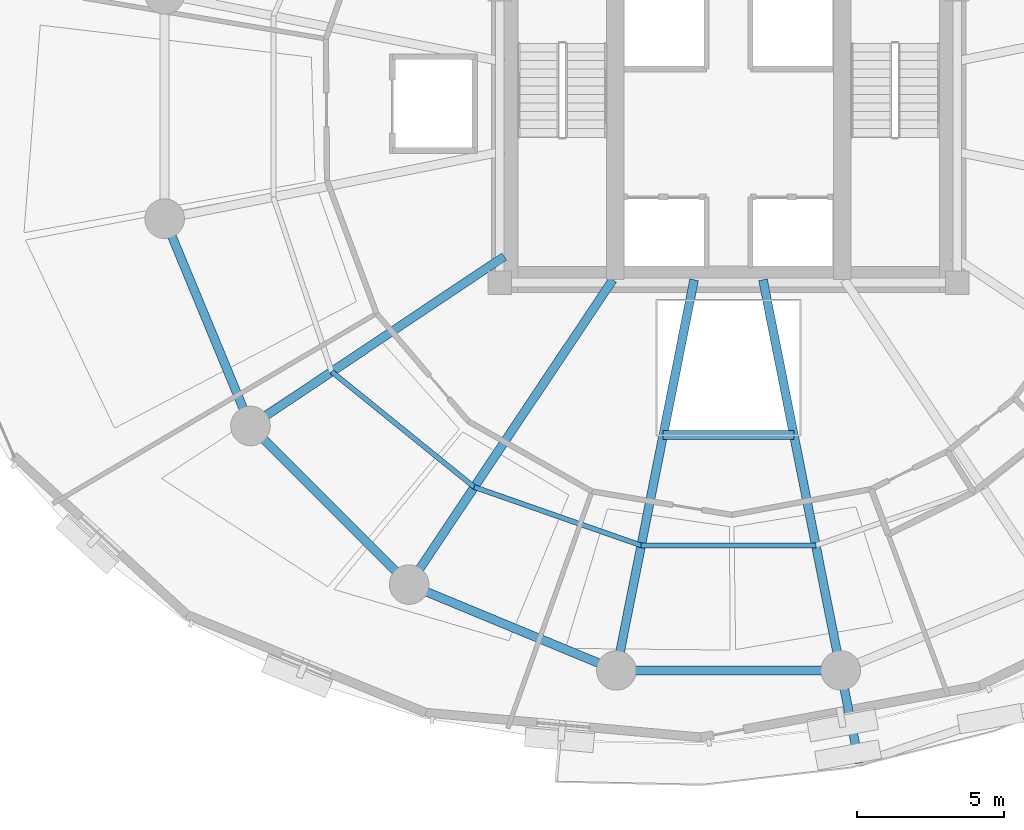
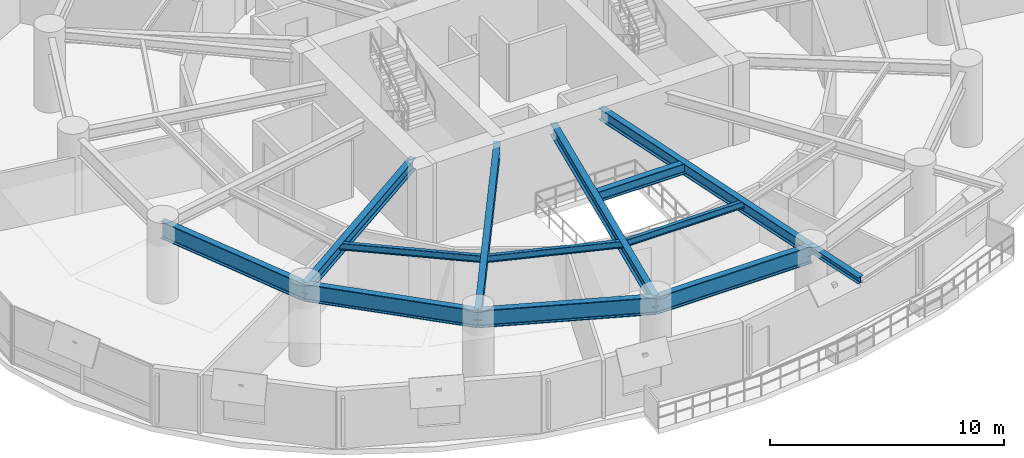
# One storey, part 3 of 17: 13 beams.
"""IFC4 building model written with IfcOpenShell, lengths in metres."""

from ifc_helpers import new_model, si_unit, direction, frame, origin, origin_2d, place, context, subcontext, project, spatial, i_section, extrude, material, material_profile, profile_set, type_object, element, save


model = new_model("IFC4")

# Units and contexts
model_context = context("Model", 3, precision=1e-05, world=origin(), true_north=direction((0.0, 1.0)))
body_context = subcontext(model_context, "Body", "Model", "MODEL_VIEW")
ifc_project = project(units=[si_unit("LENGTHUNIT", "METRE"), si_unit("AREAUNIT", "SQUARE_METRE"), si_unit("VOLUMEUNIT", "CUBIC_METRE"), si_unit("PLANEANGLEUNIT", "RADIAN"), si_unit("MASSUNIT", "GRAM", prefix="KILO"), si_unit("THERMODYNAMICTEMPERATUREUNIT", "KELVIN"), si_unit("POWERUNIT", "WATT")], contexts=[model_context])

# Site, building, storey
site_placement = place(None, origin())
site = spatial("IfcSite", under=ifc_project, at=site_placement, CompositionType="ELEMENT")
building_placement = place(site_placement, origin())
building = spatial("IfcBuilding", under=site, at=building_placement, Name="Ocrelia Relay Tower", CompositionType="ELEMENT")
storey_placement = place(building_placement, frame((0.0, 0.0, 76.199951171875)))
storey = spatial("IfcBuildingStorey", under=building, at=storey_placement, Name="L17", CompositionType="ELEMENT", Elevation=76.199951171875)

# Beams
ifc_material = material(Name="Steel S355", Category="steel")
ifc_material_profile_1 = material_profile(ifc_material, i_section(OverallWidth=0.300048828125, OverallDepth=0.330078125, WebThickness=0.009521484375, FlangeThickness=0.0166015625, FilletRadius=0.027099609375, at=origin_2d()), Name="HEA 340")
ifc_profile_set_1 = profile_set([ifc_material_profile_1], Name="Steel S355")
beam_type_1 = type_object("IfcBeamType", Name="BM-HEA340", PredefinedType="BEAM", material=ifc_profile_set_1)
beam_1_placement = place(storey_placement, frame((37.82373046875, 6.776611328125, 3.755126953125), z_axis=(0.195138855829, -0.980775625179, 0.0), x_axis=(0.980775625179, 0.195138855829, 0.0)))
element("IfcBeam", 1, at=beam_1_placement, inside=storey, type_object=beam_type_1, Name="L18 Balcony Cantilever Beam B2-1", PredefinedType="BEAM", context=body_context, shape_type="SweptSolid", body=[
    extrude(i_section(OverallWidth=0.300048828125, OverallDepth=0.330078125, WebThickness=0.009521484375, FlangeThickness=0.0166015625, FilletRadius=0.027099609375, at=origin_2d()), origin(), (0.0, 0.0, 1.0), 3.218994140625),
])
ifc_material_profile_2 = material_profile(ifc_material, i_section(OverallWidth=0.300048828125, OverallDepth=0.550048828125, WebThickness=0.014892578125, FlangeThickness=0.029052734375, FilletRadius=0.027099609375, at=origin_2d()), Name="HEB 550")
ifc_profile_set_2 = profile_set([ifc_material_profile_2], Name="Steel S355")
beam_type_2 = type_object("IfcBeamType", Name="BM-HEB550", PredefinedType="BEAM", material=ifc_profile_set_2)
beam_2_placement = place(storey_placement, frame((31.772216796875, 14.800048828125, 3.64501953125), z_axis=(1.0, 0.0, 0.0), x_axis=(0.0, 1.0, 0.0)))
element("IfcBeam", 2, at=beam_2_placement, inside=storey, type_object=beam_type_2, Name="L17 Atrium South Trimmer Beam", PredefinedType="BEAM", context=body_context, shape_type="SweptSolid", body=[
    extrude(i_section(OverallWidth=0.300048828125, OverallDepth=0.550048828125, WebThickness=0.014892578125, FlangeThickness=0.029052734375, FilletRadius=0.027099609375, at=origin_2d()), origin(), (0.0, 0.0, 1.0), 4.45556640625),
])
ifc_material_profile_3 = material_profile(ifc_material, i_section(OverallWidth=0.300048828125, OverallDepth=0.60009765625, WebThickness=0.015380859375, FlangeThickness=0.030029296875, FilletRadius=0.027099609375, at=origin_2d()), Name="HEB 600")
ifc_profile_set_3 = profile_set([ifc_material_profile_3], Name="Steel S355")
beam_type_3 = type_object("IfcBeamType", Name="BM-HEB600", PredefinedType="BEAM", material=ifc_profile_set_3)
beam_3_placement = place(storey_placement, frame((17.703125, 15.11083984375, 3.6201171875), z_axis=(0.83146868639, 0.555571618743, 0.0), x_axis=(-0.555571618743, 0.83146868639, 0.0)))
element("IfcBeam", 3, at=beam_3_placement, inside=storey, type_object=beam_type_3, Name="L17 Radial Floor Girder R10", PredefinedType="BEAM", context=body_context, shape_type="SweptSolid", body=[
    extrude(i_section(OverallWidth=0.300048828125, OverallDepth=0.60009765625, WebThickness=0.015380859375, FlangeThickness=0.030029296875, FilletRadius=0.027099609375, at=origin_2d()), origin(), (0.0, 0.0, 1.0), 10.405517578125),
])
beam_4_placement = place(storey_placement, frame((23.11083984375, 9.703125, 3.6201171875), z_axis=(0.555569912646, 0.831469826369, 0.0), x_axis=(-0.831469826369, 0.555569912646, 0.0)))
element("IfcBeam", 4, at=beam_4_placement, inside=storey, type_object=beam_type_3, Name="L17 Radial Floor Girder R11", PredefinedType="BEAM", context=body_context, shape_type="SweptSolid", body=[
    extrude(i_section(OverallWidth=0.300048828125, OverallDepth=0.60009765625, WebThickness=0.015380859375, FlangeThickness=0.030029296875, FilletRadius=0.027099609375, at=origin_2d()), origin(), (0.0, 0.0, 1.0), 12.498046875),
])
for number, where, z_axis, x_axis, name in (
    (5, (30.17626953125, 6.776611328125, 3.6201171875), (0.195089155229, 0.980785512491, 0.0), (-0.980785512491, 0.195089155229, 0.0), "L17 Radial Floor Girder R12"),
    (6, (37.82373046875, 6.776611328125, 3.6201171875), (-0.195089155229, 0.980785512491, 0.0), (-0.980785512491, -0.195089155229, 0.0), "L17 Radial Floor Girder R13"),
):
    element("IfcBeam", number, at=place(storey_placement, frame(where, z_axis=z_axis, x_axis=x_axis)), inside=storey, type_object=beam_type_3, Name=name, PredefinedType="BEAM", context=body_context, shape_type="SweptSolid", body=[
        extrude(i_section(OverallWidth=0.300048828125, OverallDepth=0.60009765625, WebThickness=0.015380859375, FlangeThickness=0.030029296875, FilletRadius=0.027099609375, at=origin_2d()), origin(), (0.0, 0.0, 1.0), 13.579345703125),
    ])
ifc_material_profile_4 = material_profile(ifc_material, i_section(OverallWidth=0.300048828125, OverallDepth=0.89990234375, WebThickness=0.0185546875, FlangeThickness=0.034912109375, FilletRadius=0.030029296875, at=origin_2d()), Name="HEB 900")
ifc_profile_set_4 = profile_set([ifc_material_profile_4], Name="Steel S355")
beam_type_4 = type_object("IfcBeamType", Name="BM-HEB900", PredefinedType="BEAM", material=ifc_profile_set_4)
beam_5_placement = place(storey_placement, frame((14.776611328125, 22.17626953125, 3.469970703125), z_axis=(0.382674154222, -0.923883375589, 0.0), x_axis=(0.923883375589, 0.382674154222, 0.0)))
element("IfcBeam", 7, at=beam_5_placement, inside=storey, type_object=beam_type_4, Name="L17 Perimeter Spandrel Beam S09", PredefinedType="BEAM", context=body_context, shape_type="SweptSolid", body=[
    extrude(i_section(OverallWidth=0.300048828125, OverallDepth=0.89990234375, WebThickness=0.0185546875, FlangeThickness=0.034912109375, FilletRadius=0.030029296875, at=origin_2d()), origin(), (0.0, 0.0, 1.0), 7.6474609375),
])
beam_6_placement = place(storey_placement, frame((17.703125, 15.11083984375, 3.469970703125), z_axis=(0.707106781187, -0.707106781187, 0.0), x_axis=(0.707106781187, 0.707106781187, 0.0)))
element("IfcBeam", 8, at=beam_6_placement, inside=storey, type_object=beam_type_4, Name="L17 Perimeter Spandrel Beam S10", PredefinedType="BEAM", context=body_context, shape_type="SweptSolid", body=[
    extrude(i_section(OverallWidth=0.300048828125, OverallDepth=0.89990234375, WebThickness=0.0185546875, FlangeThickness=0.034912109375, FilletRadius=0.030029296875, at=origin_2d()), origin(), (0.0, 0.0, 1.0), 7.647705078125),
])
for number, where, z_axis, x_axis, name in (
    (9, (23.11083984375, 9.703125, 3.469970703125), (0.923883375589, -0.382674154222, 0.0), (0.382674154222, 0.923883375589, 0.0), "L17 Perimeter Spandrel Beam S11"),
    (10, (30.17626953125, 6.776611328125, 3.469970703125), (1.0, 0.0, 0.0), (0.0, 1.0, 0.0), "L17 Perimeter Spandrel Beam S12"),
):
    element("IfcBeam", number, at=place(storey_placement, frame(where, z_axis=z_axis, x_axis=x_axis)), inside=storey, type_object=beam_type_4, Name=name, PredefinedType="BEAM", context=body_context, shape_type="SweptSolid", body=[
        extrude(i_section(OverallWidth=0.300048828125, OverallDepth=0.89990234375, WebThickness=0.0185546875, FlangeThickness=0.034912109375, FilletRadius=0.030029296875, at=origin_2d()), origin(), (0.0, 0.0, 1.0), 7.6474609375),
    ])
ifc_material_profile_5 = material_profile(ifc_material, i_section(OverallWidth=0.169921875, OverallDepth=0.360107421875, WebThickness=0.008056640625, FlangeThickness=0.0126953125, FilletRadius=0.01806640625, at=origin_2d()), Name="IPE 360")
ifc_profile_set_5 = profile_set([ifc_material_profile_5], Name="Steel S355")
beam_type_5 = type_object("IfcBeamType", Name="BM-IPE360", PredefinedType="JOIST", material=ifc_profile_set_5)
beam_7_placement = place(storey_placement, frame((20.4716796875, 16.960693359375, 3.739990234375), z_axis=(0.77748215158, -0.628905003935, 0.0), x_axis=(0.628905003935, 0.77748215158, 0.0)))
element("IfcBeam", 11, at=beam_7_placement, inside=storey, type_object=beam_type_5, Name="L17 Secondary Floor Joist J10", PredefinedType="JOIST", context=body_context, shape_type="SweptSolid", body=[
    extrude(i_section(OverallWidth=0.169921875, OverallDepth=0.360107421875, WebThickness=0.008056640625, FlangeThickness=0.0126953125, FilletRadius=0.01806640625, at=origin_2d()), origin(), (0.0, 0.0, 1.0), 6.25244140625),
])
beam_8_placement = place(storey_placement, frame((25.332763671875, 13.028564453125, 3.739990234375), z_axis=(0.943957429675, -0.330067221882, 0.0), x_axis=(0.330067221882, 0.943957429675, 0.0)))
element("IfcBeam", 12, at=beam_8_placement, inside=storey, type_object=beam_type_5, Name="L17 Secondary Floor Joist J11", PredefinedType="JOIST", context=body_context, shape_type="SweptSolid", body=[
    extrude(i_section(OverallWidth=0.169921875, OverallDepth=0.360107421875, WebThickness=0.008056640625, FlangeThickness=0.0126953125, FilletRadius=0.01806640625, at=origin_2d()), origin(), (0.0, 0.0, 1.0), 6.029052734375),
])
beam_9_placement = place(storey_placement, frame((31.02392578125, 11.03857421875, 3.739990234375), z_axis=(1.0, 0.0, 0.0), x_axis=(0.0, 1.0, 0.0)))
element("IfcBeam", 13, at=beam_9_placement, inside=storey, type_object=beam_type_5, Name="L17 Secondary Floor Joist J12", PredefinedType="JOIST", context=body_context, shape_type="SweptSolid", body=[
    extrude(i_section(OverallWidth=0.169921875, OverallDepth=0.360107421875, WebThickness=0.008056640625, FlangeThickness=0.0126953125, FilletRadius=0.01806640625, at=origin_2d()), origin(), (0.0, 0.0, 1.0), 5.9521484375),
])

save(model, "model.ifc")
